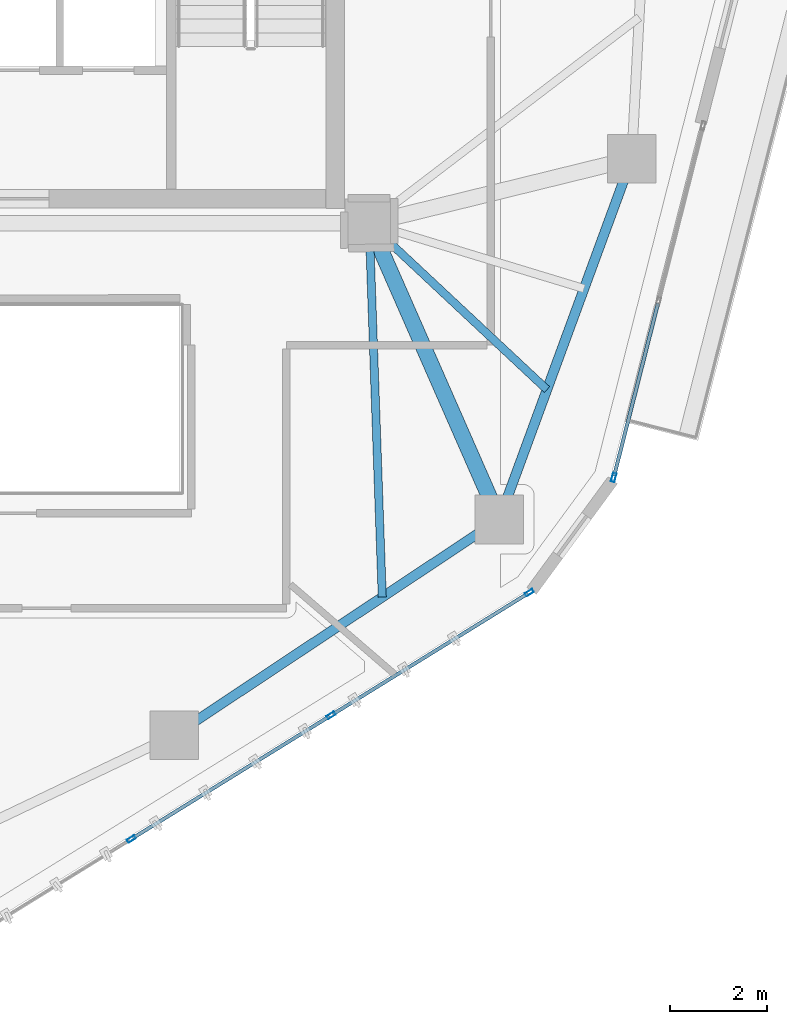
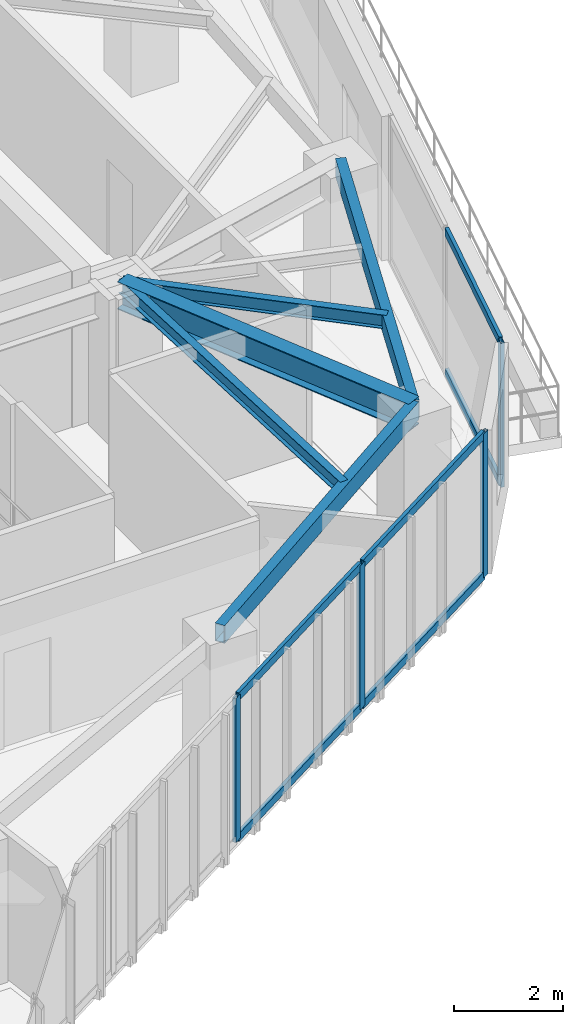
# One storey, part 5 of 21: 10 members, 5 beams, 2 elements without a shape of their own.
"""IFC4 building model written with IfcOpenShell, lengths in metres."""

import ifcopenshell
import ifcopenshell.guid

model = None  # the IFC model being written
_history = None  # IfcOwnerHistory: only IFC2X3 demands one
_inside = {}  # id of a spatial element -> (the spatial element, [elements in it])
_under = {}  # id of a project, library or spatial element -> (it, [spatial elements below it])
_declared = {}  # id of a project -> (the project, [libraries it declares])
_typed = {}  # id of a type object -> (the type object, [elements of that type])
_made_of = {}  # id of a material, layer set ... -> (it, [elements and type objects made of it])


def new_model(schema):
    """Start an empty IFC model of exactly this schema.

    Asked for "IFC4X3", IfcOpenShell would pick the latest addendum, in which some entities
    have other attributes; the version numbers below select the first issue.
    IFC2X3 requires an IfcOwnerHistory on every rooted entity: one is made here for all.
    """
    global model, _history
    if schema == "IFC4X3":
        model = ifcopenshell.file(schema_version=(4, 3, 0, 0))
    else:
        model = ifcopenshell.file(schema=schema)
    _inside.clear()
    _under.clear()
    _declared.clear()
    _typed.clear()
    _made_of.clear()
    _history = None
    if model.schema == "IFC2X3":
        org = make("IfcOrganization", Name="unknown")
        user = make(
            "IfcPersonAndOrganization",
            ThePerson=make("IfcPerson", FamilyName="unknown"),
            TheOrganization=org,
        )
        app = make(
            "IfcApplication",
            ApplicationDeveloper=org,
            Version="unknown",
            ApplicationFullName="unknown",
            ApplicationIdentifier="unknown",
        )
        _history = make(
            "IfcOwnerHistory",
            OwningUser=user,
            OwningApplication=app,
            ChangeAction="ADDED",
            CreationDate=0,
        )
    return model


def make(cls, **values):
    """One entity of the class cls with the attributes given. An attribute that is None is left unset."""
    return model.create_entity(
        cls, **{name: value for name, value in values.items() if value is not None}
    )


def rooted(cls, **values):
    """An entity with a GlobalId (a new one), such as an element, a storey or a relation."""
    return make(cls, GlobalId=ifcopenshell.guid.new(), OwnerHistory=_history, **values)


def si_unit(unit_type, name, prefix=None):
    """IfcSIUnit, for example si_unit("LENGTHUNIT", "METRE", prefix="MILLI")."""
    return make("IfcSIUnit", UnitType=unit_type, Prefix=prefix, Name=name)


def assignment(units):
    """IfcUnitAssignment: the units of a project."""
    return None if units is None else make("IfcUnitAssignment", Units=units)


def point(xyz):
    """IfcCartesianPoint."""
    return None if xyz is None else make("IfcCartesianPoint", Coordinates=xyz)


def direction(xyz):
    """IfcDirection."""
    return None if xyz is None else make("IfcDirection", DirectionRatios=xyz)


def frame(location, z_axis=None, x_axis=None):
    """IfcAxis2Placement3D, a coordinate frame: its origin and axes. An axis left out is left unset."""
    return make(
        "IfcAxis2Placement3D",
        Location=point(location),
        Axis=direction(z_axis),
        RefDirection=direction(x_axis),
    )


def frame_2d(location, x_axis=None):
    """IfcAxis2Placement2D, a coordinate frame in the plane: its origin and x axis."""
    return make(
        "IfcAxis2Placement2D", Location=point(location), RefDirection=direction(x_axis)
    )


def origin():
    """The frame at (0, 0, 0) with its axes left unset."""
    return frame((0.0, 0.0, 0.0))


def origin_2d():
    """The frame at (0, 0) in the plane with its x axis left unset."""
    return frame_2d((0.0, 0.0))


def place(relative_to, where):
    """IfcLocalPlacement: puts the frame where relative to a parent placement (None: the world)."""
    return make(
        "IfcLocalPlacement", PlacementRelTo=relative_to, RelativePlacement=where
    )


def context(
    kind, dimensions, precision=None, world=None, true_north=None, identifier=None
):
    """IfcGeometricRepresentationContext, for example the 3D "Model" context."""
    return make(
        "IfcGeometricRepresentationContext",
        ContextIdentifier=identifier,
        ContextType=kind,
        CoordinateSpaceDimension=dimensions,
        Precision=precision,
        WorldCoordinateSystem=world,
        TrueNorth=true_north,
    )


def subcontext(parent, identifier, kind, view, scale=None):
    """IfcGeometricRepresentationSubContext, for example "Body" below "Model"."""
    return make(
        "IfcGeometricRepresentationSubContext",
        ContextIdentifier=identifier,
        ContextType=kind,
        ParentContext=parent,
        TargetScale=scale,
        TargetView=view,
    )


def project(units=None, contexts=None):
    """IfcProject with its units and contexts."""
    return rooted(
        "IfcProject",
        Name="project",
        RepresentationContexts=contexts,
        UnitsInContext=assignment(units),
    )


def spatial(cls, under=None, at=None, **own):
    """A site, building, storey or space (cls), placed at a placement, below another one or the project."""
    s = rooted(cls, ObjectPlacement=at, **own)
    if under is not None:
        _under.setdefault(under.id(), (under, []))[1].append(s)
    return s


def profile(cls, at=None, kind="AREA", **sizes):
    """A parametric profile (cls). Its sizes go by their IFC names, for example OverallWidth=200.0."""
    return make(cls, ProfileType=kind, Position=at, **sizes)


def hollow_rectangle(**sizes):
    """IfcRectangleHollowProfileDef."""
    return profile("IfcRectangleHollowProfileDef", **sizes)


def i_section(**sizes):
    """IfcIShapeProfileDef."""
    return profile("IfcIShapeProfileDef", **sizes)


def extrude(swept, where, along, depth):
    """IfcExtrudedAreaSolid: the profile swept, set in the frame where, extruded along a direction by depth."""
    return make(
        "IfcExtrudedAreaSolid",
        SweptArea=swept,
        Position=where,
        ExtrudedDirection=direction(along),
        Depth=depth,
    )


def shape(context_of_items, identifier, shape_type, items):
    """IfcShapeRepresentation: the items that make up one representation, for example the "Body"."""
    return make(
        "IfcShapeRepresentation",
        ContextOfItems=context_of_items,
        RepresentationIdentifier=identifier,
        RepresentationType=shape_type,
        Items=items,
    )


def source(mapping_origin, context_of_items, identifier, shape_type, items):
    """IfcRepresentationMap: a shape defined once, which mapped items show again and again."""
    return make(
        "IfcRepresentationMap",
        MappingOrigin=mapping_origin,
        MappedRepresentation=shape(context_of_items, identifier, shape_type, items),
    )


def transform(
    local_origin,
    x_axis=None,
    y_axis=None,
    z_axis=None,
    scale=None,
    scale2=None,
    scale3=None,
    uniform=True,
):
    """IfcCartesianTransformationOperator3D, or its non-uniform kind. x_axis, y_axis, z_axis: its Axis1, 2, 3."""
    if uniform:
        return make(
            "IfcCartesianTransformationOperator3D",
            Axis1=direction(x_axis),
            Axis2=direction(y_axis),
            LocalOrigin=point(local_origin),
            Scale=scale,
            Axis3=direction(z_axis),
        )
    return make(
        "IfcCartesianTransformationOperator3DnonUniform",
        Axis1=direction(x_axis),
        Axis2=direction(y_axis),
        LocalOrigin=point(local_origin),
        Scale=scale,
        Axis3=direction(z_axis),
        Scale2=scale2,
        Scale3=scale3,
    )


def mapped(mapping_source, mapping_target):
    """IfcMappedItem: shows the shape of a source again, moved by a transform."""
    return make(
        "IfcMappedItem", MappingSource=mapping_source, MappingTarget=mapping_target
    )


def material(Name=None, Category=None):
    """IfcMaterial."""
    return make("IfcMaterial", Name=Name, Category=Category)


def layer(
    of_material, thickness, ventilated=None, Name=None, Category=None, Priority=None
):
    """IfcMaterialLayer: one layer of a wall or slab, of a material (None: an air gap)."""
    return make(
        "IfcMaterialLayer",
        Material=of_material,
        LayerThickness=thickness,
        IsVentilated=ventilated,
        Name=Name,
        Category=Category,
        Priority=Priority,
    )


def layer_set(layers, Name=None):
    """IfcMaterialLayerSet."""
    return make("IfcMaterialLayerSet", MaterialLayers=layers, LayerSetName=Name)


def material_profile(
    of_material, cross_section, Name=None, Category=None, Priority=None
):
    """IfcMaterialProfile: a cross section and its material."""
    return make(
        "IfcMaterialProfile",
        Name=Name,
        Material=of_material,
        Profile=cross_section,
        Priority=Priority,
        Category=Category,
    )


def profile_set(profiles, Name=None, composite=None):
    """IfcMaterialProfileSet."""
    return make(
        "IfcMaterialProfileSet",
        Name=Name,
        MaterialProfiles=profiles,
        CompositeProfile=composite,
    )


def made_of(thing, what):
    """Note that an element or type object is made of a material, layer set ...; save() writes the relation."""
    if what is not None:
        _made_of.setdefault(what.id(), (what, []))[1].append(thing)
    return thing


def type_object(cls, material=None, **own):
    """A type object (cls), such as IfcWallType, which elements share."""
    return made_of(rooted(cls, **own), material)


def type_shapes(of_type, sources):
    """Give a type object the sources (RepresentationMaps) that its elements show as mapped items."""
    of_type.RepresentationMaps = sources


def element(
    cls,
    number,
    at=None,
    inside=None,
    cuts=None,
    type_object=None,
    material=None,
    context=None,
    identifier="Body",
    shape_type=None,
    held_by="IfcProductDefinitionShape",
    body=None,
    shapes=None,
    **own,
):
    """One element of the class cls, such as IfcWall. Its Tag is "e" and its number.

    at: its placement. inside: the storey or other place that contains it. cuts: it is an
    opening in that element (IfcRelVoidsElement). A single representation is given by context,
    identifier, shape_type and body (its items); several are given by shapes. held_by: the class
    of the entity that holds the representations. save() writes the other relations.
    """
    e = rooted(cls, Tag="e%d" % number, ObjectPlacement=at, **own)
    if body is not None:
        shapes = [shape(context, identifier, shape_type, body)]
    if shapes is not None:
        e.Representation = make(held_by, Representations=shapes)
    if inside is not None:
        _inside.setdefault(inside.id(), (inside, []))[1].append(e)
    if cuts is not None:
        rooted(
            "IfcRelVoidsElement", RelatingBuildingElement=cuts, RelatedOpeningElement=e
        )
    if type_object is not None:
        _typed.setdefault(type_object.id(), (type_object, []))[1].append(e)
    return made_of(e, material)


def aggregate(whole, parts):
    """IfcRelAggregates: a whole, such as a stair, and the parts it consists of."""
    return rooted("IfcRelAggregates", RelatingObject=whole, RelatedObjects=parts)


def save(model, path):
    """Write the relations noted so far, then the file.

    IfcRelAggregates (storeys below a building ...), IfcRelContainedInSpatialStructure (elements
    in a storey), IfcRelDefinesByType, IfcRelAssociatesMaterial and IfcRelDeclares: one each for
    every whole, place, type object, material and project.
    """
    for whole, parts in _under.values():
        aggregate(whole, parts)
    for where, things in _inside.values():
        rooted(
            "IfcRelContainedInSpatialStructure",
            RelatedElements=things,
            RelatingStructure=where,
        )
    for kind, things in _typed.values():
        rooted("IfcRelDefinesByType", RelatedObjects=things, RelatingType=kind)
    for what, things in _made_of.values():
        rooted("IfcRelAssociatesMaterial", RelatedObjects=things, RelatingMaterial=what)
    for by, libraries in _declared.values():
        rooted("IfcRelDeclares", RelatingContext=by, RelatedDefinitions=libraries)
    model.write(path)


model = new_model("IFC4")

# Units and contexts
model_context = context("Model", 3, precision=1e-05, world=origin(), true_north=direction((0.0, 1.0)))
body_context = subcontext(model_context, "Body", "Model", "MODEL_VIEW")
ifc_project = project(units=[si_unit("LENGTHUNIT", "METRE"), si_unit("AREAUNIT", "SQUARE_METRE"), si_unit("VOLUMEUNIT", "CUBIC_METRE"), si_unit("PLANEANGLEUNIT", "RADIAN"), si_unit("MASSUNIT", "GRAM", prefix="KILO")], contexts=[model_context])

# Site, building, storey
site_placement = place(None, origin())
site = spatial("IfcSite", under=ifc_project, at=site_placement, CompositionType="ELEMENT")
building_placement = place(site_placement, origin())
building = spatial("IfcBuilding", under=site, at=building_placement, Name="Talar Marvaseh", CompositionType="ELEMENT")
storey_placement = place(building_placement, frame((0.0, 0.0, 184.5)))
storey = spatial("IfcBuildingStorey", under=building, at=storey_placement, Name="L48", CompositionType="ELEMENT", Elevation=184.5)

# Beams
ifc_material_1 = material(Name="Steel S355", Category="steel")
ifc_material_profile_1 = material_profile(ifc_material_1, hollow_rectangle(XDim=0.199951171875, YDim=0.39990234375, WallThickness=0.013916015625, at=origin_2d()), Name="RHS400x200x14")
ifc_profile_set_1 = profile_set([ifc_material_profile_1], Name="Steel S355")
beam_type_1 = type_object("IfcBeamType", Name="Zone 3 Perimeter Spandrel Beam RHS400x200x14", PredefinedType="SPANDREL", material=ifc_profile_set_1)
beam_1_placement = place(storey_placement, frame((38.68896484375, 26.823974609375, 3.030029296875), z_axis=(-0.344742291376, -0.938697370049, 0.0), x_axis=(0.938697370049, -0.344742291376, 0.0)))
element("IfcBeam", 1, at=beam_1_placement, inside=storey, type_object=beam_type_1, Name="L48 Zone 3 Perimeter Spandrel Beam RHS400x200x14", PredefinedType="SPANDREL", context=body_context, shape_type="SweptSolid", body=[
    extrude(hollow_rectangle(XDim=0.199951171875, YDim=0.39990234375, WallThickness=0.013916015625, at=origin_2d()), origin(), (0.0, 0.0, 1.0), 7.88427734375),
])
beam_2_placement = place(storey_placement, frame((35.970947265625, 19.423095703125, 3.030029296875), z_axis=(-0.833127464163, -0.553081032452, 0.0), x_axis=(0.553081032452, -0.833127464163, 0.0)))
element("IfcBeam", 2, at=beam_2_placement, inside=storey, type_object=beam_type_1, Name="L48 Zone 3 Perimeter Spandrel Beam RHS400x200x14", PredefinedType="SPANDREL", context=body_context, shape_type="SweptSolid", body=[
    extrude(hollow_rectangle(XDim=0.199951171875, YDim=0.39990234375, WallThickness=0.013916015625, at=origin_2d()), origin(), (0.0, 0.0, 1.0), 8.00830078125),
])
ifc_material_profile_2 = material_profile(ifc_material_1, i_section(OverallWidth=0.324951171875, OverallDepth=0.615966796875, WebThickness=0.013916015625, FlangeThickness=0.021484375, at=origin_2d()), Name="W610x174")
ifc_profile_set_2 = profile_set([ifc_material_profile_2], Name="Steel S355")
beam_type_2 = type_object("IfcBeamType", Name="Zone 3 Radial Floor Girder W610x174", PredefinedType="BEAM", material=ifc_profile_set_2)
beam_3_placement = place(storey_placement, frame((35.970947265625, 19.423095703125, 2.922119140625), z_axis=(-0.402367581672, 0.91547819702, 0.0), x_axis=(-0.91547819702, -0.402367581672, 0.0)))
element("IfcBeam", 3, at=beam_3_placement, inside=storey, type_object=beam_type_2, Name="L48 Zone 3 Radial Floor Girder W610x174", PredefinedType="BEAM", context=body_context, shape_type="SweptSolid", body=[
    extrude(i_section(OverallWidth=0.324951171875, OverallDepth=0.615966796875, WebThickness=0.013916015625, FlangeThickness=0.021484375, at=origin_2d()), origin(), (0.0, 0.0, 1.0), 6.637939453125),
])
ifc_material_profile_3 = material_profile(ifc_material_1, i_section(OverallWidth=0.166015625, OverallDepth=0.31298828125, WebThickness=0.006591796875, FlangeThickness=0.01123046875, at=origin_2d()), Name="W310x45")
ifc_profile_set_3 = profile_set([ifc_material_profile_3], Name="Steel S355")
beam_type_3 = type_object("IfcBeamType", Name="Zone 3 Secondary Floor Joist W310x45", PredefinedType="JOIST", material=ifc_profile_set_3)
beam_4_placement = place(storey_placement, frame((36.949462890625, 22.08740234375, 3.073486328125), z_axis=(-0.730408226886, 0.683010850643, 0.0), x_axis=(-0.683010850643, -0.730408226886, 0.0)))
element("IfcBeam", 4, at=beam_4_placement, inside=storey, type_object=beam_type_3, Name="L48 Zone 3 Secondary Floor Joist W310x45", PredefinedType="JOIST", context=body_context, shape_type="SweptSolid", body=[
    extrude(i_section(OverallWidth=0.166015625, OverallDepth=0.31298828125, WebThickness=0.006591796875, FlangeThickness=0.01123046875, at=origin_2d()), origin(), (0.0, 0.0, 1.0), 4.996337890625),
])
beam_5_placement = place(storey_placement, frame((33.569091796875, 17.82861328125, 3.073486328125), z_axis=(-0.035049421089, 0.999385580285, 0.0), x_axis=(-0.999385580285, -0.035049421089, 0.0)))
element("IfcBeam", 5, at=beam_5_placement, inside=storey, type_object=beam_type_3, Name="L48 Zone 3 Secondary Floor Joist W310x45", PredefinedType="JOIST", context=body_context, shape_type="SweptSolid", body=[
    extrude(i_section(OverallWidth=0.166015625, OverallDepth=0.31298828125, WebThickness=0.006591796875, FlangeThickness=0.01123046875, at=origin_2d()), origin(), (0.0, 0.0, 1.0), 7.676025390625),
])

# Curtain wall, member
ifc_material_2 = material(Name="Architectural Aluminium", Category="aluminium")
ifc_layer = layer(ifc_material_2, 0.18994140625)
ifc_layer_set = layer_set([ifc_layer], Name="Architectural Aluminium")
curtain_wall_type = type_object("IfcCurtainWallType", Name="Unitised Solar Atelier Curtain Wall Z3", PredefinedType="NOTDEFINED", material=ifc_layer_set)
curtain_wall_1_placement = place(storey_placement, origin())
curtain_wall_1 = element("IfcCurtainWall", 6, at=curtain_wall_1_placement, inside=storey, type_object=curtain_wall_type, Name="L48 Unitised Solar Atelier Curtain Wall Z3", PredefinedType="NOTDEFINED")
ifc_material_profile_4 = material_profile(ifc_material_2, hollow_rectangle(XDim=0.074951171875, YDim=0.179931640625, WallThickness=0.0048828125, at=origin_2d()), Name="RHS180x75x5")
ifc_profile_set_4 = profile_set([ifc_material_profile_4], Name="Architectural Aluminium")
member_type_1 = type_object("IfcMemberType", Name="Unitised Curtain Wall Standard Mullion RHS180x75x5", PredefinedType="MULLION", material=ifc_profile_set_4)
shared_shape_1 = source(origin(), body_context, "Body", "SweptSolid", [
    extrude(hollow_rectangle(XDim=0.074951171875, YDim=0.179931640625, WallThickness=0.0048828125, at=origin_2d()), origin(), (0.0, 0.0, 1.0), 3.22998046875),
])
type_shapes(member_type_1, [shared_shape_1])
member_1_placement = place(storey_placement, frame((38.3193359375, 20.283447265625, 0.0), z_axis=(0.0, 0.0, 1.0), x_axis=(0.969192093782, -0.246306080618, 0.0)))
member_1 = element("IfcMember", 7, at=member_1_placement, type_object=member_type_1, Name="CW-Z3 mullion 3", PredefinedType="MULLION", context=body_context, shape_type="MappedRepresentation", body=[
    mapped(shared_shape_1, transform((0.0, 0.0, 0.0), x_axis=(1.0, 0.0, 0.0), y_axis=(0.0, 1.0, 0.0), z_axis=(0.0, 0.0, 1.0), scale=1.0)),
])

# Curtain wall, members
curtain_wall_2_placement = place(storey_placement, origin())
curtain_wall_2 = element("IfcCurtainWall", 8, at=curtain_wall_2_placement, inside=storey, type_object=curtain_wall_type, Name="L48 Unitised Solar Atelier Curtain Wall Z3", PredefinedType="NOTDEFINED")
member_2_placement = place(storey_placement, frame((36.5869140625, 17.9208984375, 0.0), z_axis=(0.0, 0.0, 1.0), x_axis=(0.526349260096, -0.850268461368, 0.0)))
member_2 = element("IfcMember", 9, at=member_2_placement, type_object=member_type_1, Name="CW-Z3 mullion 1", PredefinedType="MULLION", context=body_context, shape_type="MappedRepresentation", body=[
    mapped(shared_shape_1, transform((0.0, 0.0, 0.0), x_axis=(1.0, 0.0, 0.0), y_axis=(0.0, 1.0, 0.0), z_axis=(0.0, 0.0, 1.0), scale=1.0)),
])
member_3_placement = place(storey_placement, frame((32.518798828125, 15.402587890625, 0.0), z_axis=(0.0, 0.0, 1.0), x_axis=(0.526349260096, -0.850268461368, 0.0)))
member_3 = element("IfcMember", 10, at=member_3_placement, type_object=member_type_1, Name="CW-Z3 mullion 2", PredefinedType="MULLION", context=body_context, shape_type="MappedRepresentation", body=[
    mapped(shared_shape_1, transform((0.0, 0.0, 0.0), x_axis=(1.0, 0.0, 0.0), y_axis=(0.0, 1.0, 0.0), z_axis=(0.0, 0.0, 1.0), scale=1.0)),
])
member_4_placement = place(storey_placement, frame((28.418701171875, 12.864501953125, 0.0), z_axis=(0.0, 0.0, 1.0), x_axis=(0.526349260096, -0.850268461368, 0.0)))
member_4 = element("IfcMember", 11, at=member_4_placement, type_object=member_type_1, Name="CW-Z3 mullion 3", PredefinedType="MULLION", context=body_context, shape_type="MappedRepresentation", body=[
    mapped(shared_shape_1, transform((0.0, 0.0, 0.0), x_axis=(1.0, 0.0, 0.0), y_axis=(0.0, 1.0, 0.0), z_axis=(0.0, 0.0, 1.0), scale=1.0)),
])
ifc_material_profile_5 = material_profile(ifc_material_2, hollow_rectangle(XDim=0.074951171875, YDim=0.179931640625, WallThickness=0.0048828125, at=origin_2d()), Name="RHS180x75x5")
ifc_profile_set_5 = profile_set([ifc_material_profile_5], Name="Architectural Aluminium")
member_type_2 = type_object("IfcMemberType", Name="Unitised Curtain Wall Transom RHS180x75x5", PredefinedType="USERDEFINED", material=ifc_profile_set_5)
shared_shape_2 = source(origin(), body_context, "Body", "SweptSolid", [
    extrude(hollow_rectangle(XDim=0.074951171875, YDim=0.179931640625, WallThickness=0.0048828125, at=origin_2d()), origin(), (0.0, 0.0, 1.0), 4.746826171875),
])
member_5_placement = place(storey_placement, frame((32.48681640625, 15.3828125, 0.03759765625), z_axis=(-0.850267338847, -0.526351073419, 0.0), x_axis=(0.526351073419, -0.850267338847, 0.0)))
member_5 = element("IfcMember", 12, at=member_5_placement, type_object=member_type_2, Name="CW-Z3 transom 2.1", ObjectType="TRANSOM", PredefinedType="USERDEFINED", context=body_context, shape_type="MappedRepresentation", body=[
    mapped(shared_shape_2, transform((0.0, 0.0, 0.0), x_axis=(1.0, 0.0, 0.0), y_axis=(0.0, 1.0, 0.0), z_axis=(0.0, 0.0, 1.0), scale=1.0)),
])
member_6_placement = place(storey_placement, frame((32.48681640625, 15.3828125, 3.1923828125), z_axis=(-0.850267338847, -0.526351073419, 0.0), x_axis=(0.526351073419, -0.850267338847, 0.0)))
member_6 = element("IfcMember", 13, at=member_6_placement, type_object=member_type_2, Name="CW-Z3 transom 2.2", ObjectType="TRANSOM", PredefinedType="USERDEFINED", context=body_context, shape_type="MappedRepresentation", body=[
    mapped(shared_shape_2, transform((0.0, 0.0, 0.0), x_axis=(1.0, 0.0, 0.0), y_axis=(0.0, 1.0, 0.0), z_axis=(0.0, 0.0, 1.0), scale=1.0)),
])

# Member
shared_shape_3 = source(origin(), body_context, "Body", "SweptSolid", [
    extrude(hollow_rectangle(XDim=0.074951171875, YDim=0.179931640625, WallThickness=0.0048828125, at=origin_2d()), origin(), (0.0, 0.0, 1.0), 3.648681640625),
])
member_7_placement = place(storey_placement, frame((39.227294921875, 23.856201171875, 0.03759765625), z_axis=(-0.246296516662, -0.969194524273, 0.0), x_axis=(0.969194524273, -0.246296516662, 0.0)))
member_7 = element("IfcMember", 14, at=member_7_placement, type_object=member_type_2, Name="CW-Z3 transom 2.1", ObjectType="TRANSOM", PredefinedType="USERDEFINED", context=body_context, shape_type="MappedRepresentation", body=[
    mapped(shared_shape_3, transform((0.0, 0.0, 0.0), x_axis=(1.0, 0.0, 0.0), y_axis=(0.0, 1.0, 0.0), z_axis=(0.0, 0.0, 1.0), scale=1.0)),
])

member_8_placement = place(storey_placement, frame((39.227294921875, 23.856201171875, 3.1923828125), z_axis=(-0.246296516662, -0.969194524273, 0.0), x_axis=(0.969194524273, -0.246296516662, 0.0)))
member_8 = element("IfcMember", 15, at=member_8_placement, type_object=member_type_2, Name="CW-Z3 transom 2.2", ObjectType="TRANSOM", PredefinedType="USERDEFINED", context=body_context, shape_type="MappedRepresentation", body=[
    mapped(shared_shape_3, transform((0.0, 0.0, 0.0), x_axis=(1.0, 0.0, 0.0), y_axis=(0.0, 1.0, 0.0), z_axis=(0.0, 0.0, 1.0), scale=1.0)),
])

aggregate(curtain_wall_1, [member_1, member_7, member_8])

shared_shape_4 = source(origin(), body_context, "Body", "SweptSolid", [
    extrude(hollow_rectangle(XDim=0.074951171875, YDim=0.179931640625, WallThickness=0.0048828125, at=origin_2d()), origin(), (0.0, 0.0, 1.0), 4.709228515625),
])
type_shapes(member_type_2, [shared_shape_2, shared_shape_3, shared_shape_4])
member_9_placement = place(storey_placement, frame((36.554931640625, 17.901123046875, 0.03759765625), z_axis=(-0.850265146688, -0.526354614616, 0.0), x_axis=(0.526354614616, -0.850265146688, 0.0)))
member_9 = element("IfcMember", 16, at=member_9_placement, type_object=member_type_2, Name="CW-Z3 transom 1.1", ObjectType="TRANSOM", PredefinedType="USERDEFINED", context=body_context, shape_type="MappedRepresentation", body=[
    mapped(shared_shape_4, transform((0.0, 0.0, 0.0), x_axis=(1.0, 0.0, 0.0), y_axis=(0.0, 1.0, 0.0), z_axis=(0.0, 0.0, 1.0), scale=1.0)),
])

member_10_placement = place(storey_placement, frame((36.554931640625, 17.901123046875, 3.1923828125), z_axis=(-0.850265146688, -0.526354614616, 0.0), x_axis=(0.526354614616, -0.850265146688, 0.0)))
member_10 = element("IfcMember", 17, at=member_10_placement, type_object=member_type_2, Name="CW-Z3 transom 1.2", ObjectType="TRANSOM", PredefinedType="USERDEFINED", context=body_context, shape_type="MappedRepresentation", body=[
    mapped(shared_shape_4, transform((0.0, 0.0, 0.0), x_axis=(1.0, 0.0, 0.0), y_axis=(0.0, 1.0, 0.0), z_axis=(0.0, 0.0, 1.0), scale=1.0)),
])

aggregate(curtain_wall_2, [member_2, member_3, member_4, member_9, member_10, member_5, member_6])

save(model, "model.ifc")
